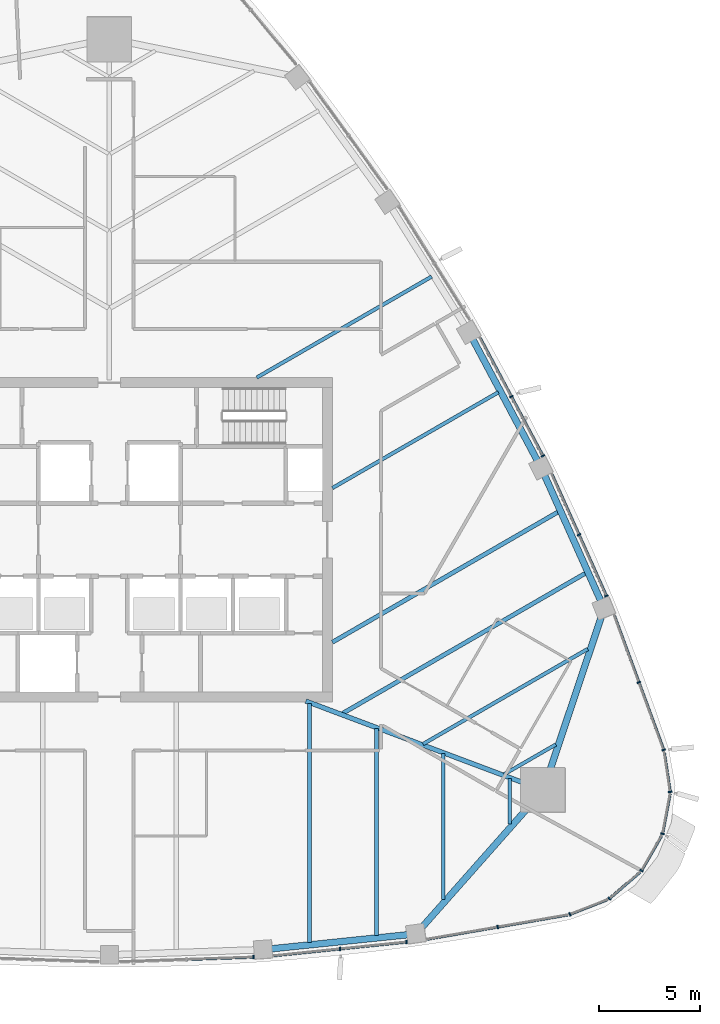
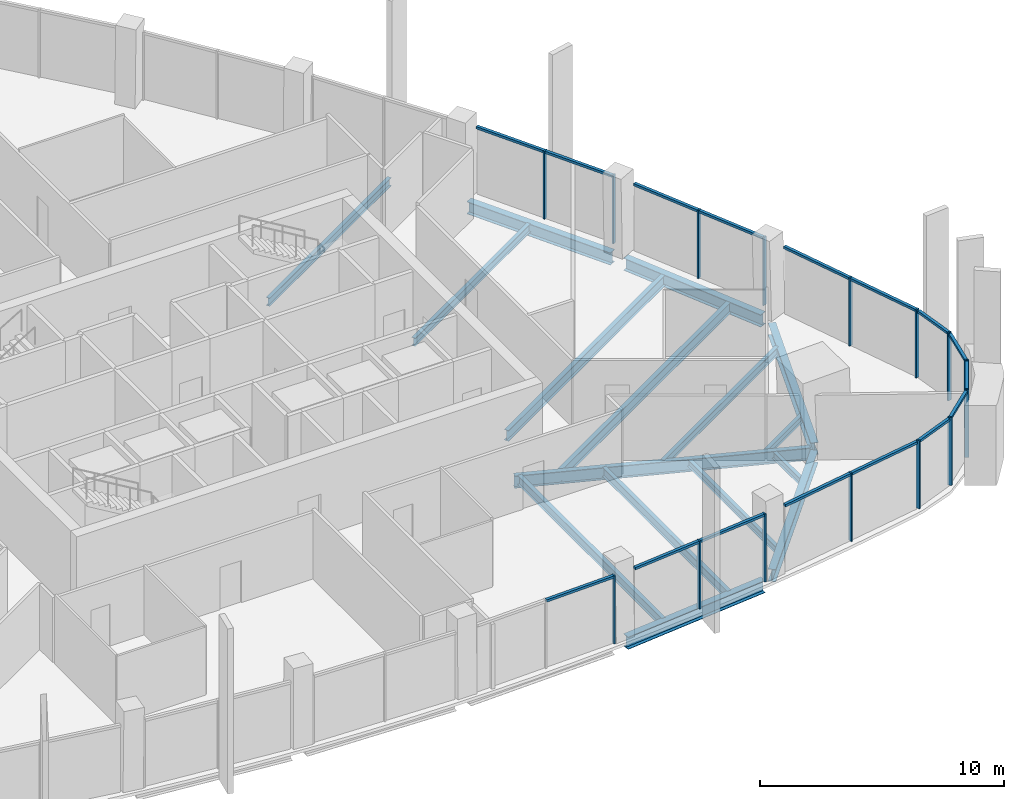
# One storey, part 4 of 18: 31 members, 16 beams, 11 elements without a shape of their own.
"""IFC4 building model written with IfcOpenShell, lengths in metres."""

from ifc_helpers import new_model, si_unit, direction, frame, origin, origin_2d, place, context, subcontext, project, spatial, rectangle, i_section, extrude, material, layer, layer_set, material_profile, profile_set, type_object, element, aggregate, save


model = new_model("IFC4")

# Units and contexts
model_context = context("Model", 3, precision=1e-05, world=origin(), true_north=direction((0.0, 1.0)))
body_context = subcontext(model_context, "Body", "Model", "MODEL_VIEW")
ifc_project = project(units=[si_unit("LENGTHUNIT", "METRE"), si_unit("AREAUNIT", "SQUARE_METRE"), si_unit("VOLUMEUNIT", "CUBIC_METRE"), si_unit("PLANEANGLEUNIT", "RADIAN"), si_unit("MASSUNIT", "GRAM", prefix="KILO")], contexts=[model_context])

# Site, building, storey
site_placement = place(None, origin())
site = spatial("IfcSite", under=ifc_project, at=site_placement, CompositionType="ELEMENT")
building_placement = place(site_placement, origin())
building = spatial("IfcBuilding", under=site, at=building_placement, Name="Sierra Prisma Convention Tower", CompositionType="ELEMENT")
storey_placement = place(building_placement, frame((0.0, 0.0, 263.0)))
storey = spatial("IfcBuildingStorey", under=building, at=storey_placement, Name="L59", CompositionType="ELEMENT", Elevation=263.0)

# Curtain wall, member
ifc_material_1 = material(Name="Aluminium and glass curtain wall", Category="aluminium")
ifc_layer = layer(ifc_material_1, 0.179931640625)
ifc_layer_set = layer_set([ifc_layer], Name="CW-1 Plain shaft curtain wall")
curtain_wall_type = type_object("IfcCurtainWallType", Name="CW-1 Plain shaft curtain wall", PredefinedType="NOTDEFINED", material=ifc_layer_set)
curtain_wall_1_placement = place(storey_placement, origin())
curtain_wall_1 = element("IfcCurtainWall", 1, at=curtain_wall_1_placement, inside=storey, type_object=curtain_wall_type, Name="CW-1 S4 L59", PredefinedType="NOTDEFINED")
ifc_material_2 = material(Name="Aluminium 6063-T6 bronze anodised", Category="aluminium")
ifc_material_profile_1 = material_profile(ifc_material_2, rectangle(XDim=0.179931640625, YDim=0.070068359375, at=origin_2d()), Name="ALU MULLION 70x180")
ifc_profile_set_1 = profile_set([ifc_material_profile_1], Name="Aluminium 6063-T6 bronze anodised")
member_type_1 = type_object("IfcMemberType", Name="CW mullion bronze", PredefinedType="MULLION", material=ifc_profile_set_1)
member_1_placement = place(storey_placement, frame((7.1103515625, -20.58349609375, 0.0), z_axis=(0.0, 0.0, 1.0), x_axis=(-0.034252791572, 0.999413200968, 0.0)))
member_1 = element("IfcMember", 2, at=member_1_placement, type_object=member_type_1, Name="CW-1 mullion S4.3", PredefinedType="MULLION", context=body_context, shape_type="SweptSolid", body=[
    extrude(rectangle(XDim=0.179931640625, YDim=0.070068359375, at=origin_2d()), origin(), (0.0, 0.0, 1.0), 3.39990234375),
])

# Curtain wall, members
curtain_wall_2_placement = place(storey_placement, origin())
curtain_wall_2 = element("IfcCurtainWall", 3, at=curtain_wall_2_placement, inside=storey, type_object=curtain_wall_type, Name="CW-1 S5 L59", PredefinedType="NOTDEFINED")
member_2_placement = place(storey_placement, frame((11.37109375, -20.17822265625, 0.0), z_axis=(0.0, 0.0, 1.0), x_axis=(-0.102597625871, 0.994722939901, 0.0)))
member_2 = element("IfcMember", 4, at=member_2_placement, type_object=member_type_1, Name="CW-1 mullion S5.2", PredefinedType="MULLION", context=body_context, shape_type="SweptSolid", body=[
    extrude(rectangle(XDim=0.179931640625, YDim=0.070068359375, at=origin_2d()), origin(), (0.0, 0.0, 1.0), 3.39990234375),
])
member_3_placement = place(storey_placement, frame((14.652587890625, -19.83984375, 0.0), z_axis=(0.0, 0.0, 1.0), x_axis=(-0.102597625871, 0.994722939901, 0.0)))
member_3 = element("IfcMember", 5, at=member_3_placement, type_object=member_type_1, Name="CW-1 mullion S5.3", PredefinedType="MULLION", context=body_context, shape_type="SweptSolid", body=[
    extrude(rectangle(XDim=0.179931640625, YDim=0.070068359375, at=origin_2d()), origin(), (0.0, 0.0, 1.0), 3.39990234375),
])

# Curtain wall, member
curtain_wall_3_placement = place(storey_placement, origin())
curtain_wall_3 = element("IfcCurtainWall", 6, at=curtain_wall_3_placement, inside=storey, type_object=curtain_wall_type, Name="CW-1 S6 L59", PredefinedType="NOTDEFINED")
member_4_placement = place(storey_placement, frame((19.150634765625, -19.098388671875, 0.0), z_axis=(0.0, 0.0, 1.0), x_axis=(-0.170460967981, 0.985364429232, 0.0)))
member_4 = element("IfcMember", 7, at=member_4_placement, type_object=member_type_1, Name="CW-1 mullion S6.2", PredefinedType="MULLION", context=body_context, shape_type="SweptSolid", body=[
    extrude(rectangle(XDim=0.179931640625, YDim=0.070068359375, at=origin_2d()), origin(), (0.0, 0.0, 1.0), 3.39990234375),
])

curtain_wall_4_placement = place(storey_placement, origin())
curtain_wall_4 = element("IfcCurtainWall", 8, at=curtain_wall_4_placement, inside=storey, type_object=curtain_wall_type, Name="CW-1 SE1 L59", PredefinedType="NOTDEFINED")
member_5_placement = place(storey_placement, frame((22.711669921875, -18.47509765625, 0.0), z_axis=(0.0, 0.0, 1.0), x_axis=(-0.365234856913, 0.930915409313, 0.0)))
member_5 = element("IfcMember", 9, at=member_5_placement, type_object=member_type_1, Name="CW-1 mullion SE1.1", PredefinedType="MULLION", context=body_context, shape_type="SweptSolid", body=[
    extrude(rectangle(XDim=0.179931640625, YDim=0.070068359375, at=origin_2d()), origin(), (0.0, 0.0, 1.0), 3.39990234375),
])

curtain_wall_5_placement = place(storey_placement, origin())
curtain_wall_5 = element("IfcCurtainWall", 10, at=curtain_wall_5_placement, inside=storey, type_object=curtain_wall_type, Name="CW-1 SE2 L59", PredefinedType="NOTDEFINED")
member_6_placement = place(storey_placement, frame((24.65966796875, -17.698486328125, 0.0), z_axis=(0.0, 0.0, 1.0), x_axis=(-0.652244187311, 0.758008918232, 0.0)))
member_6 = element("IfcMember", 11, at=member_6_placement, type_object=member_type_1, Name="CW-1 mullion SE2.1", PredefinedType="MULLION", context=body_context, shape_type="SweptSolid", body=[
    extrude(rectangle(XDim=0.179931640625, YDim=0.070068359375, at=origin_2d()), origin(), (0.0, 0.0, 1.0), 3.39990234375),
])

curtain_wall_6_placement = place(storey_placement, origin())
curtain_wall_6 = element("IfcCurtainWall", 12, at=curtain_wall_6_placement, inside=storey, type_object=curtain_wall_type, Name="CW-1 SE3 L59", PredefinedType="NOTDEFINED")
member_7_placement = place(storey_placement, frame((26.24169921875, -16.322021484375, 0.0), z_axis=(0.0, 0.0, 1.0), x_axis=(-0.866025403784, 0.5, 0.0)))
member_7 = element("IfcMember", 13, at=member_7_placement, type_object=member_type_1, Name="CW-1 mullion SE3.1", PredefinedType="MULLION", context=body_context, shape_type="SweptSolid", body=[
    extrude(rectangle(XDim=0.179931640625, YDim=0.070068359375, at=origin_2d()), origin(), (0.0, 0.0, 1.0), 3.39990234375),
])

curtain_wall_7_placement = place(storey_placement, origin())
curtain_wall_7 = element("IfcCurtainWall", 14, at=curtain_wall_7_placement, inside=storey, type_object=curtain_wall_type, Name="CW-1 SE4 L59", PredefinedType="NOTDEFINED")
member_8_placement = place(storey_placement, frame((27.280029296875, -14.500244140625, 0.0), z_axis=(0.0, 0.0, 1.0), x_axis=(-0.98257707314, 0.185855576566, 0.0)))
member_8 = element("IfcMember", 15, at=member_8_placement, type_object=member_type_1, Name="CW-1 mullion SE4.1", PredefinedType="MULLION", context=body_context, shape_type="SweptSolid", body=[
    extrude(rectangle(XDim=0.179931640625, YDim=0.070068359375, at=origin_2d()), origin(), (0.0, 0.0, 1.0), 3.39990234375),
])

curtain_wall_8_placement = place(storey_placement, origin())
curtain_wall_8 = element("IfcCurtainWall", 16, at=curtain_wall_8_placement, inside=storey, type_object=curtain_wall_type, Name="CW-1 SE5 L59", PredefinedType="NOTDEFINED")
member_9_placement = place(storey_placement, frame((27.658447265625, -12.4375, 0.0), z_axis=(0.0, 0.0, 1.0), x_axis=(-0.988813821696, -0.149155040222, 0.0)))
member_9 = element("IfcMember", 17, at=member_9_placement, type_object=member_type_1, Name="CW-1 mullion SE5.1", PredefinedType="MULLION", context=body_context, shape_type="SweptSolid", body=[
    extrude(rectangle(XDim=0.179931640625, YDim=0.070068359375, at=origin_2d()), origin(), (0.0, 0.0, 1.0), 3.39990234375),
])

# Curtain wall, members
curtain_wall_9_placement = place(storey_placement, origin())
curtain_wall_9 = element("IfcCurtainWall", 18, at=curtain_wall_9_placement, inside=storey, type_object=curtain_wall_type, Name="CW-1 NE1 L59", PredefinedType="NOTDEFINED")
member_10_placement = place(storey_placement, frame((27.338623046875, -10.36376953125, 0.0), z_axis=(0.0, 0.0, 1.0), x_axis=(-0.93858111169, -0.345058685991, 0.0)))
member_10 = element("IfcMember", 19, at=member_10_placement, type_object=member_type_1, Name="CW-1 mullion NE1.1", PredefinedType="MULLION", context=body_context, shape_type="SweptSolid", body=[
    extrude(rectangle(XDim=0.179931640625, YDim=0.070068359375, at=origin_2d()), origin(), (0.0, 0.0, 1.0), 3.39990234375),
])
member_11_placement = place(storey_placement, frame((26.114990234375, -7.03564453125, 0.0), z_axis=(0.0, 0.0, 1.0), x_axis=(-0.93858111169, -0.345058685991, 0.0)))
member_11 = element("IfcMember", 20, at=member_11_placement, type_object=member_type_1, Name="CW-1 mullion NE1.2", PredefinedType="MULLION", context=body_context, shape_type="SweptSolid", body=[
    extrude(rectangle(XDim=0.179931640625, YDim=0.070068359375, at=origin_2d()), origin(), (0.0, 0.0, 1.0), 3.39990234375),
])

curtain_wall_10_placement = place(storey_placement, origin())
curtain_wall_10 = element("IfcCurtainWall", 21, at=curtain_wall_10_placement, inside=storey, type_object=curtain_wall_type, Name="CW-1 NE2 L59", PredefinedType="NOTDEFINED")
member_12_placement = place(storey_placement, frame((24.508056640625, -2.769775390625, 0.0), z_axis=(0.0, 0.0, 1.0), x_axis=(-0.912754148617, -0.408509319578, 0.0)))
member_12 = element("IfcMember", 22, at=member_12_placement, type_object=member_type_1, Name="CW-1 mullion NE2.1", PredefinedType="MULLION", context=body_context, shape_type="SweptSolid", body=[
    extrude(rectangle(XDim=0.179931640625, YDim=0.070068359375, at=origin_2d()), origin(), (0.0, 0.0, 1.0), 3.39990234375),
])
member_13_placement = place(storey_placement, frame((23.160400390625, 0.2412109375, 0.0), z_axis=(0.0, 0.0, 1.0), x_axis=(-0.912754148617, -0.408509319578, 0.0)))
member_13 = element("IfcMember", 23, at=member_13_placement, type_object=member_type_1, Name="CW-1 mullion NE2.2", PredefinedType="MULLION", context=body_context, shape_type="SweptSolid", body=[
    extrude(rectangle(XDim=0.179931640625, YDim=0.070068359375, at=origin_2d()), origin(), (0.0, 0.0, 1.0), 3.39990234375),
])

curtain_wall_11_placement = place(storey_placement, origin())
curtain_wall_11 = element("IfcCurtainWall", 24, at=curtain_wall_11_placement, inside=storey, type_object=curtain_wall_type, Name="CW-1 NE3 L59", PredefinedType="NOTDEFINED")
member_14_placement = place(storey_placement, frame((21.381103515625, 4.1337890625, 0.0), z_axis=(0.0, 0.0, 1.0), x_axis=(-0.882643616702, -0.470042812832, 0.0)))
member_14 = element("IfcMember", 25, at=member_14_placement, type_object=member_type_1, Name="CW-1 mullion NE3.1", PredefinedType="MULLION", context=body_context, shape_type="SweptSolid", body=[
    extrude(rectangle(XDim=0.179931640625, YDim=0.070068359375, at=origin_2d()), origin(), (0.0, 0.0, 1.0), 3.39990234375),
])
member_15_placement = place(storey_placement, frame((19.822998046875, 7.0595703125, 0.0), z_axis=(0.0, 0.0, 1.0), x_axis=(-0.882643616702, -0.470042812832, 0.0)))
member_15 = element("IfcMember", 26, at=member_15_placement, type_object=member_type_1, Name="CW-1 mullion NE3.2", PredefinedType="MULLION", context=body_context, shape_type="SweptSolid", body=[
    extrude(rectangle(XDim=0.179931640625, YDim=0.070068359375, at=origin_2d()), origin(), (0.0, 0.0, 1.0), 3.39990234375),
])

# Member
ifc_material_3 = material(Name="Aluminium 6063-T6 bronze anodised", Category="aluminium")
ifc_material_profile_2 = material_profile(ifc_material_3, rectangle(XDim=0.139892578125, YDim=0.1201171875, at=origin_2d()), Name="ALU TRANSOM 120x140")
ifc_profile_set_2 = profile_set([ifc_material_profile_2], Name="Aluminium 6063-T6 bronze anodised")
member_type_2 = type_object("IfcMemberType", Name="CW transom bronze", PredefinedType="USERDEFINED", material=ifc_profile_set_2)
member_16_placement = place(storey_placement, frame((3.83251953125, -20.69580078125, 3.340087890625), z_axis=(0.999413836906, 0.034234231408, 0.0), x_axis=(-0.034234231408, 0.999413836906, 0.0)))
member_16 = element("IfcMember", 27, at=member_16_placement, type_object=member_type_2, Name="CW-1 transom S4.2", ObjectType="TRANSOM", PredefinedType="USERDEFINED", context=body_context, shape_type="SweptSolid", body=[
    extrude(rectangle(XDim=0.139892578125, YDim=0.1201171875, at=origin_2d()), origin(), (0.0, 0.0, 1.0), 3.244873046875),
])

aggregate(curtain_wall_1, [member_1, member_16])

member_17_placement = place(storey_placement, frame((8.12451171875, -20.51318359375, 3.340087890625), z_axis=(0.99472243827, 0.102602489262, 0.0), x_axis=(-0.102602489262, 0.99472243827, 0.0)))
member_17 = element("IfcMember", 28, at=member_17_placement, type_object=member_type_2, Name="CW-1 transom S5.1", ObjectType="TRANSOM", PredefinedType="USERDEFINED", context=body_context, shape_type="SweptSolid", body=[
    extrude(rectangle(XDim=0.139892578125, YDim=0.1201171875, at=origin_2d()), origin(), (0.0, 0.0, 1.0), 3.22900390625),
])

member_18_placement = place(storey_placement, frame((11.406005859375, -20.174560546875, 3.340087890625), z_axis=(0.99472243827, 0.102602489262, 0.0), x_axis=(-0.102602489262, 0.99472243827, 0.0)))
member_18 = element("IfcMember", 29, at=member_18_placement, type_object=member_type_2, Name="CW-1 transom S5.2", ObjectType="TRANSOM", PredefinedType="USERDEFINED", context=body_context, shape_type="SweptSolid", body=[
    extrude(rectangle(XDim=0.139892578125, YDim=0.1201171875, at=origin_2d()), origin(), (0.0, 0.0, 1.0), 3.22900390625),
])

aggregate(curtain_wall_2, [member_2, member_3, member_17, member_18])

member_19_placement = place(storey_placement, frame((15.691162109375, -19.69677734375, 3.340087890625), z_axis=(0.985363440864, 0.17046668123, 0.0), x_axis=(-0.17046668123, 0.985363440864, 0.0)))
member_19 = element("IfcMember", 30, at=member_19_placement, type_object=member_type_2, Name="CW-1 transom S6.1", ObjectType="TRANSOM", PredefinedType="USERDEFINED", context=body_context, shape_type="SweptSolid", body=[
    extrude(rectangle(XDim=0.139892578125, YDim=0.1201171875, at=origin_2d()), origin(), (0.0, 0.0, 1.0), 3.475830078125),
])

member_20_placement = place(storey_placement, frame((19.18505859375, -19.092529296875, 3.340087890625), z_axis=(0.985363440864, 0.17046668123, 0.0), x_axis=(-0.17046668123, 0.985363440864, 0.0)))
member_20 = element("IfcMember", 31, at=member_20_placement, type_object=member_type_2, Name="CW-1 transom S6.2", ObjectType="TRANSOM", PredefinedType="USERDEFINED", context=body_context, shape_type="SweptSolid", body=[
    extrude(rectangle(XDim=0.139892578125, YDim=0.1201171875, at=origin_2d()), origin(), (0.0, 0.0, 1.0), 3.475830078125),
])

aggregate(curtain_wall_3, [member_4, member_19, member_20])

member_21_placement = place(storey_placement, frame((22.744140625, -18.46240234375, 3.340087890625), z_axis=(0.930905910703, 0.365259066168, 0.0), x_axis=(-0.365259066168, 0.930905910703, 0.0)))
member_21 = element("IfcMember", 32, at=member_21_placement, type_object=member_type_2, Name="CW-1 transom SE1.1", ObjectType="TRANSOM", PredefinedType="USERDEFINED", context=body_context, shape_type="SweptSolid", body=[
    extrude(rectangle(XDim=0.139892578125, YDim=0.1201171875, at=origin_2d()), origin(), (0.0, 0.0, 1.0), 1.958984375),
])

aggregate(curtain_wall_4, [member_5, member_21])

member_22_placement = place(storey_placement, frame((24.68603515625, -17.67578125, 3.340087890625), z_axis=(0.75802376869, 0.652226928378, 0.0), x_axis=(-0.652226928378, 0.75802376869, 0.0)))
member_22 = element("IfcMember", 33, at=member_22_placement, type_object=member_type_2, Name="CW-1 transom SE2.1", ObjectType="TRANSOM", PredefinedType="USERDEFINED", context=body_context, shape_type="SweptSolid", body=[
    extrude(rectangle(XDim=0.139892578125, YDim=0.1201171875, at=origin_2d()), origin(), (0.0, 0.0, 1.0), 1.959228515625),
])

aggregate(curtain_wall_5, [member_6, member_22])

member_23_placement = place(storey_placement, frame((26.259033203125, -16.291748046875, 3.340087890625), z_axis=(0.499999343788, 0.866025782648, 0.0), x_axis=(-0.866025782648, 0.499999343788, 0.0)))
member_23 = element("IfcMember", 34, at=member_23_placement, type_object=member_type_2, Name="CW-1 transom SE3.1", ObjectType="TRANSOM", PredefinedType="USERDEFINED", context=body_context, shape_type="SweptSolid", body=[
    extrude(rectangle(XDim=0.139892578125, YDim=0.1201171875, at=origin_2d()), origin(), (0.0, 0.0, 1.0), 1.958984375),
])

aggregate(curtain_wall_6, [member_7, member_23])

member_24_placement = place(storey_placement, frame((27.28662109375, -14.4658203125, 3.340087890625), z_axis=(0.185823376024, 0.982583163362, 0.0), x_axis=(-0.982583163362, 0.185823376024, 0.0)))
member_24 = element("IfcMember", 35, at=member_24_placement, type_object=member_type_2, Name="CW-1 transom SE4.1", ObjectType="TRANSOM", PredefinedType="USERDEFINED", context=body_context, shape_type="SweptSolid", body=[
    extrude(rectangle(XDim=0.139892578125, YDim=0.1201171875, at=origin_2d()), origin(), (0.0, 0.0, 1.0), 1.958984375),
])

aggregate(curtain_wall_7, [member_8, member_24])

member_25_placement = place(storey_placement, frame((27.6533203125, -12.40283203125, 3.340087890625), z_axis=(-0.149181419355, 0.988809842244, 0.0), x_axis=(-0.988809842244, -0.149181419355, 0.0)))
member_25 = element("IfcMember", 36, at=member_25_placement, type_object=member_type_2, Name="CW-1 transom SE5.1", ObjectType="TRANSOM", PredefinedType="USERDEFINED", context=body_context, shape_type="SweptSolid", body=[
    extrude(rectangle(XDim=0.139892578125, YDim=0.1201171875, at=origin_2d()), origin(), (0.0, 0.0, 1.0), 1.958984375),
])

aggregate(curtain_wall_8, [member_9, member_25])

member_26_placement = place(storey_placement, frame((27.326416015625, -10.3310546875, 3.340087890625), z_axis=(-0.345011958178, 0.93859828932, 0.0), x_axis=(-0.93859828932, -0.345011958178, 0.0)))
member_26 = element("IfcMember", 37, at=member_26_placement, type_object=member_type_2, Name="CW-1 transom NE1.1", ObjectType="TRANSOM", PredefinedType="USERDEFINED", context=body_context, shape_type="SweptSolid", body=[
    extrude(rectangle(XDim=0.139892578125, YDim=0.1201171875, at=origin_2d()), origin(), (0.0, 0.0, 1.0), 3.475830078125),
])

member_27_placement = place(storey_placement, frame((26.10302734375, -7.0029296875, 3.340087890625), z_axis=(-0.345073833792, 0.938575542635, 0.0), x_axis=(-0.938575542635, -0.345073833792, 0.0)))
member_27 = element("IfcMember", 38, at=member_27_placement, type_object=member_type_2, Name="CW-1 transom NE1.2", ObjectType="TRANSOM", PredefinedType="USERDEFINED", context=body_context, shape_type="SweptSolid", body=[
    extrude(rectangle(XDim=0.139892578125, YDim=0.1201171875, at=origin_2d()), origin(), (0.0, 0.0, 1.0), 3.47607421875),
])

aggregate(curtain_wall_9, [member_10, member_11, member_26, member_27])

member_28_placement = place(storey_placement, frame((24.493896484375, -2.73779296875, 3.340087890625), z_axis=(-0.408515265611, 0.912751487406, 0.0), x_axis=(-0.912751487406, -0.408515265611, 0.0)))
member_28 = element("IfcMember", 39, at=member_28_placement, type_object=member_type_2, Name="CW-1 transom NE2.1", ObjectType="TRANSOM", PredefinedType="USERDEFINED", context=body_context, shape_type="SweptSolid", body=[
    extrude(rectangle(XDim=0.139892578125, YDim=0.1201171875, at=origin_2d()), origin(), (0.0, 0.0, 1.0), 3.22900390625),
])

member_29_placement = place(storey_placement, frame((23.146240234375, 0.273193359375, 3.340087890625), z_axis=(-0.408515265611, 0.912751487406, 0.0), x_axis=(-0.912751487406, -0.408515265611, 0.0)))
member_29 = element("IfcMember", 40, at=member_29_placement, type_object=member_type_2, Name="CW-1 transom NE2.2", ObjectType="TRANSOM", PredefinedType="USERDEFINED", context=body_context, shape_type="SweptSolid", body=[
    extrude(rectangle(XDim=0.139892578125, YDim=0.1201171875, at=origin_2d()), origin(), (0.0, 0.0, 1.0), 3.22900390625),
])

aggregate(curtain_wall_10, [member_12, member_13, member_28, member_29])

member_30_placement = place(storey_placement, frame((21.364501953125, 4.164794921875, 3.340087890625), z_axis=(-0.470029692397, 0.88265060373, 0.0), x_axis=(-0.88265060373, -0.470029692397, 0.0)))
member_30 = element("IfcMember", 41, at=member_30_placement, type_object=member_type_2, Name="CW-1 transom NE3.1", ObjectType="TRANSOM", PredefinedType="USERDEFINED", context=body_context, shape_type="SweptSolid", body=[
    extrude(rectangle(XDim=0.139892578125, YDim=0.1201171875, at=origin_2d()), origin(), (0.0, 0.0, 1.0), 3.244873046875),
])

member_31_placement = place(storey_placement, frame((19.806396484375, 7.090576171875, 3.340087890625), z_axis=(-0.470029692397, 0.88265060373, 0.0), x_axis=(-0.88265060373, -0.470029692397, 0.0)))
member_31 = element("IfcMember", 42, at=member_31_placement, type_object=member_type_2, Name="CW-1 transom NE3.2", ObjectType="TRANSOM", PredefinedType="USERDEFINED", context=body_context, shape_type="SweptSolid", body=[
    extrude(rectangle(XDim=0.139892578125, YDim=0.1201171875, at=origin_2d()), origin(), (0.0, 0.0, 1.0), 3.244873046875),
])

aggregate(curtain_wall_11, [member_14, member_15, member_30, member_31])

# Beams
ifc_material_4 = material(Name="Steel ASTM A992 Gr 50", Category="steel")
ifc_material_profile_3 = material_profile(ifc_material_4, i_section(OverallWidth=0.172119140625, OverallDepth=0.35791015625, WebThickness=0.0078125, FlangeThickness=0.01318359375, at=origin_2d()), Name="W360x57")
ifc_profile_set_3 = profile_set([ifc_material_profile_3], Name="Steel ASTM A992 Gr 50")
beam_type_1 = type_object("IfcBeamType", Name="Floor joist W360x57", PredefinedType="JOIST", material=ifc_profile_set_3)
beam_1_placement = place(storey_placement, frame((16.4619140625, -17.739990234375, -0.3291015625), z_axis=(0.0, 1.0, 0.0), x_axis=(-1.0, 0.0, 0.0)))
element("IfcBeam", 43, at=beam_1_placement, inside=storey, type_object=beam_type_1, Name="Floor joist L59 S12", PredefinedType="JOIST", context=body_context, shape_type="SweptSolid", body=[
    extrude(i_section(OverallWidth=0.172119140625, OverallDepth=0.35791015625, WebThickness=0.0078125, FlangeThickness=0.01318359375, at=origin_2d()), origin(), (0.0, 0.0, 1.0), 7.189453125),
])
beam_2_placement = place(storey_placement, frame((19.75439453125, -14.020263671875, -0.3291015625), z_axis=(0.0, 1.0, 0.0), x_axis=(-1.0, 0.0, 0.0)))
element("IfcBeam", 44, at=beam_2_placement, inside=storey, type_object=beam_type_1, Name="Floor joist L59 S13", PredefinedType="JOIST", context=body_context, shape_type="SweptSolid", body=[
    extrude(i_section(OverallWidth=0.172119140625, OverallDepth=0.35791015625, WebThickness=0.0078125, FlangeThickness=0.01318359375, at=origin_2d()), origin(), (0.0, 0.0, 1.0), 2.233642578125),
])
beam_3_placement = place(storey_placement, frame((22.01904296875, -10.09765625, -0.3291015625), z_axis=(-0.866050908157, -0.499955822529, 0.0), x_axis=(0.499955822529, -0.866050908157, 0.0)))
element("IfcBeam", 45, at=beam_3_placement, inside=storey, type_object=beam_type_1, Name="Floor joist L59 NE01", PredefinedType="JOIST", context=body_context, shape_type="SweptSolid", body=[
    extrude(i_section(OverallWidth=0.172119140625, OverallDepth=0.35791015625, WebThickness=0.0078125, FlangeThickness=0.01318359375, at=origin_2d()), origin(), (0.0, 0.0, 1.0), 2.958251953125),
])
ifc_material_5 = material(Name="Steel ASTM A992 Gr 50", Category="steel")
ifc_material_profile_4 = material_profile(ifc_material_5, i_section(OverallWidth=0.177978515625, OverallDepth=0.406982421875, WebThickness=0.0078125, FlangeThickness=0.0126953125, at=origin_2d()), Name="W410x60")
ifc_profile_set_4 = profile_set([ifc_material_profile_4], Name="Steel ASTM A992 Gr 50")
beam_type_2 = type_object("IfcBeamType", Name="Floor joist W410x60", PredefinedType="JOIST", material=ifc_profile_set_4)
beam_4_placement = place(storey_placement, frame((23.59423828125, -5.386474609375, -0.353515625), z_axis=(-0.866030057461, -0.49999193951, 0.0), x_axis=(0.49999193951, -0.866030057461, 0.0)))
element("IfcBeam", 46, at=beam_4_placement, inside=storey, type_object=beam_type_2, Name="Floor joist L59 NE02", PredefinedType="JOIST", context=body_context, shape_type="SweptSolid", body=[
    extrude(i_section(OverallWidth=0.177978515625, OverallDepth=0.406982421875, WebThickness=0.0078125, FlangeThickness=0.0126953125, at=origin_2d()), origin(), (0.0, 0.0, 1.0), 9.384521484375),
])
beam_5_placement = place(storey_placement, frame((19.1845703125, 7.274658203125, -0.353515625), z_axis=(-0.866015229196, -0.500017622489, 0.0), x_axis=(0.500017622489, -0.866015229196, 0.0)))
element("IfcBeam", 47, at=beam_5_placement, inside=storey, type_object=beam_type_2, Name="Floor joist L59 NE06", PredefinedType="JOIST", context=body_context, shape_type="SweptSolid", body=[
    extrude(i_section(OverallWidth=0.177978515625, OverallDepth=0.406982421875, WebThickness=0.0078125, FlangeThickness=0.0126953125, at=origin_2d()), origin(), (0.0, 0.0, 1.0), 9.450927734375),
])
beam_6_placement = place(storey_placement, frame((15.892333984375, 12.97705078125, -0.353515625), z_axis=(-0.866027931447, -0.499995621934, 0.0), x_axis=(0.499995621934, -0.866027931447, 0.0)))
element("IfcBeam", 48, at=beam_6_placement, inside=storey, type_object=beam_type_2, Name="Floor joist L59 NE08", PredefinedType="JOIST", context=body_context, shape_type="SweptSolid", body=[
    extrude(i_section(OverallWidth=0.177978515625, OverallDepth=0.406982421875, WebThickness=0.0078125, FlangeThickness=0.0126953125, at=origin_2d()), origin(), (0.0, 0.0, 1.0), 9.9541015625),
])
ifc_material_6 = material(Name="Steel ASTM A992 Gr 50", Category="steel")
ifc_material_profile_5 = material_profile(ifc_material_6, i_section(OverallWidth=0.18994140625, OverallDepth=0.45703125, WebThickness=0.009033203125, FlangeThickness=0.014404296875, at=origin_2d()), Name="W460x74")
ifc_profile_set_5 = profile_set([ifc_material_profile_5], Name="Steel ASTM A992 Gr 50")
beam_type_3 = type_object("IfcBeamType", Name="Floor joist W460x74", PredefinedType="JOIST", material=ifc_profile_set_5)
beam_7_placement = place(storey_placement, frame((9.877197265625, -19.8671875, -0.37841796875), z_axis=(0.0, 1.0, 0.0), x_axis=(-1.0, 0.0, 0.0)))
element("IfcBeam", 49, at=beam_7_placement, inside=storey, type_object=beam_type_3, Name="Floor joist L59 S10", PredefinedType="JOIST", context=body_context, shape_type="SweptSolid", body=[
    extrude(i_section(OverallWidth=0.18994140625, OverallDepth=0.45703125, WebThickness=0.009033203125, FlangeThickness=0.014404296875, at=origin_2d()), origin(), (0.0, 0.0, 1.0), 11.7890625),
])
beam_8_placement = place(storey_placement, frame((13.16943359375, -19.52783203125, -0.37841796875), z_axis=(0.0, 1.0, 0.0), x_axis=(-1.0, 0.0, 0.0)))
element("IfcBeam", 50, at=beam_8_placement, inside=storey, type_object=beam_type_3, Name="Floor joist L59 S11", PredefinedType="JOIST", context=body_context, shape_type="SweptSolid", body=[
    extrude(i_section(OverallWidth=0.18994140625, OverallDepth=0.45703125, WebThickness=0.009033203125, FlangeThickness=0.014404296875, at=origin_2d()), origin(), (0.0, 0.0, 1.0), 10.213623046875),
])
ifc_material_7 = material(Name="Steel ASTM A992 Gr 50", Category="steel")
ifc_material_profile_6 = material_profile(ifc_material_7, i_section(OverallWidth=0.208984375, OverallDepth=0.532958984375, WebThickness=0.01025390625, FlangeThickness=0.015625, at=origin_2d()), Name="W530x92")
ifc_profile_set_6 = profile_set([ifc_material_profile_6], Name="Steel ASTM A992 Gr 50")
beam_type_4 = type_object("IfcBeamType", Name="Floor joist W530x92", PredefinedType="JOIST", material=ifc_profile_set_6)
beam_9_placement = place(storey_placement, frame((23.496337890625, -1.641357421875, -0.41650390625), z_axis=(-0.866029449263, -0.49999299296, 0.0), x_axis=(0.49999299296, -0.866029449263, 0.0)))
element("IfcBeam", 51, at=beam_9_placement, inside=storey, type_object=beam_type_4, Name="Floor joist L59 NE03", PredefinedType="JOIST", context=body_context, shape_type="SweptSolid", body=[
    extrude(i_section(OverallWidth=0.208984375, OverallDepth=0.532958984375, WebThickness=0.01025390625, FlangeThickness=0.015625, at=origin_2d()), origin(), (0.0, 0.0, 1.0), 13.878662109375),
])
beam_10_placement = place(storey_placement, frame((22.14404296875, 1.3798828125, -0.41650390625), z_axis=(-0.866023188807, -0.500003836433, 0.0), x_axis=(0.500003836433, -0.866023188807, 0.0)))
element("IfcBeam", 52, at=beam_10_placement, inside=storey, type_object=beam_type_4, Name="Floor joist L59 NE04", PredefinedType="JOIST", context=body_context, shape_type="SweptSolid", body=[
    extrude(i_section(OverallWidth=0.208984375, OverallDepth=0.532958984375, WebThickness=0.01025390625, FlangeThickness=0.015625, at=origin_2d()), origin(), (0.0, 0.0, 1.0), 12.8681640625),
])
ifc_material_8 = material(Name="Steel ASTM A992 Gr 50", Category="steel")
ifc_material_profile_7 = material_profile(ifc_material_8, i_section(OverallWidth=0.22998046875, OverallDepth=0.616943359375, WebThickness=0.01318359375, FlangeThickness=0.022216796875, at=origin_2d()), Name="W610x140")
ifc_profile_set_7 = profile_set([ifc_material_profile_7], Name="Steel ASTM A992 Gr 50")
beam_type_5 = type_object("IfcBeamType", Name="Radial girder W610x140", PredefinedType="BEAM", material=ifc_profile_set_7)
beam_11_placement = place(storey_placement, frame((21.180419921875, -12.27294921875, -0.45849609375), z_axis=(-0.936183618864, 0.351511353686, 0.0), x_axis=(-0.351511353686, -0.936183618864, 0.0)))
element("IfcBeam", 53, at=beam_11_placement, inside=storey, type_object=beam_type_5, Name="Radial girder L59 SE", PredefinedType="BEAM", context=body_context, shape_type="SweptSolid", body=[
    extrude(i_section(OverallWidth=0.22998046875, OverallDepth=0.616943359375, WebThickness=0.01318359375, FlangeThickness=0.022216796875, at=origin_2d()), origin(), (0.0, 0.0, 1.0), 12.276123046875),
])
ifc_material_9 = material(Name="Steel ASTM A992 Gr 50", Category="steel")
ifc_material_profile_8 = material_profile(ifc_material_9, i_section(OverallWidth=0.324951171875, OverallDepth=0.615966796875, WebThickness=0.013916015625, FlangeThickness=0.021484375, at=origin_2d()), Name="W610x174")
ifc_profile_set_8 = profile_set([ifc_material_profile_8], Name="Steel ASTM A992 Gr 50")
beam_type_6 = type_object("IfcBeamType", Name="Spandrel beam W610x174", PredefinedType="BEAM", material=ifc_profile_set_8)
beam_12_placement = place(storey_placement, frame((7.911865234375, -20.183349609375, -0.4580078125), z_axis=(0.994723218016, 0.102594929409, 0.0), x_axis=(-0.102594929409, 0.994723218016, 0.0)))
element("IfcBeam", 54, at=beam_12_placement, inside=storey, type_object=beam_type_6, Name="Spandrel L59-05", PredefinedType="BEAM", context=body_context, shape_type="SweptSolid", body=[
    extrude(i_section(OverallWidth=0.324951171875, OverallDepth=0.615966796875, WebThickness=0.013916015625, FlangeThickness=0.021484375, at=origin_2d()), origin(), (0.0, 0.0, 1.0), 6.92724609375),
])
beam_13_placement = place(storey_placement, frame((15.444580078125, -19.084716796875, -0.4580078125), z_axis=(0.662782931105, 0.7488115826, 0.0), x_axis=(-0.7488115826, 0.662782931105, 0.0)))
element("IfcBeam", 55, at=beam_13_placement, inside=storey, type_object=beam_type_6, Name="Spandrel L59-06", PredefinedType="BEAM", context=body_context, shape_type="SweptSolid", body=[
    extrude(i_section(OverallWidth=0.324951171875, OverallDepth=0.615966796875, WebThickness=0.013916015625, FlangeThickness=0.021484375, at=origin_2d()), origin(), (0.0, 0.0, 1.0), 8.6923828125),
])
beam_14_placement = place(storey_placement, frame((21.47412109375, -12.135498046875, -0.4580078125), z_axis=(0.317089382424, 0.948395657705, 0.0), x_axis=(-0.948395657705, 0.317089382424, 0.0)))
element("IfcBeam", 56, at=beam_14_placement, inside=storey, type_object=beam_type_6, Name="Spandrel L59-07", PredefinedType="BEAM", context=body_context, shape_type="SweptSolid", body=[
    extrude(i_section(OverallWidth=0.324951171875, OverallDepth=0.615966796875, WebThickness=0.013916015625, FlangeThickness=0.021484375, at=origin_2d()), origin(), (0.0, 0.0, 1.0), 8.754150390625),
])
beam_15_placement = place(storey_placement, frame((24.264892578125, -3.0830078125, -0.4580078125), z_axis=(-0.408485070712, 0.912765000975, 0.0), x_axis=(-0.912765000975, -0.408485070712, 0.0)))
element("IfcBeam", 57, at=beam_15_placement, inside=storey, type_object=beam_type_6, Name="Spandrel L59-08", PredefinedType="BEAM", context=body_context, shape_type="SweptSolid", body=[
    extrude(i_section(OverallWidth=0.324951171875, OverallDepth=0.615966796875, WebThickness=0.013916015625, FlangeThickness=0.021484375, at=origin_2d()), origin(), (0.0, 0.0, 1.0), 6.927001953125),
])
beam_16_placement = place(storey_placement, frame((21.14501953125, 3.832763671875, -0.4580078125), z_axis=(-0.470044856955, 0.882642528123, 0.0), x_axis=(-0.882642528123, -0.470044856955, 0.0)))
element("IfcBeam", 58, at=beam_16_placement, inside=storey, type_object=beam_type_6, Name="Spandrel L59-09", PredefinedType="BEAM", context=body_context, shape_type="SweptSolid", body=[
    extrude(i_section(OverallWidth=0.324951171875, OverallDepth=0.615966796875, WebThickness=0.013916015625, FlangeThickness=0.021484375, at=origin_2d()), origin(), (0.0, 0.0, 1.0), 6.92724609375),
])

save(model, "model.ifc")
